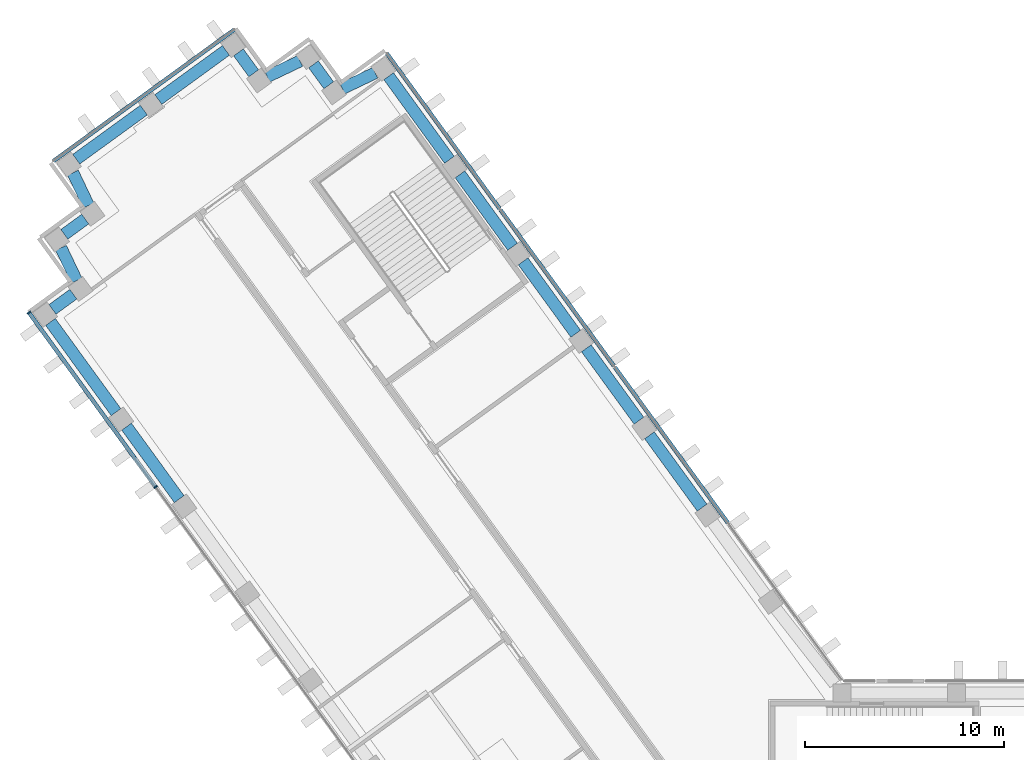
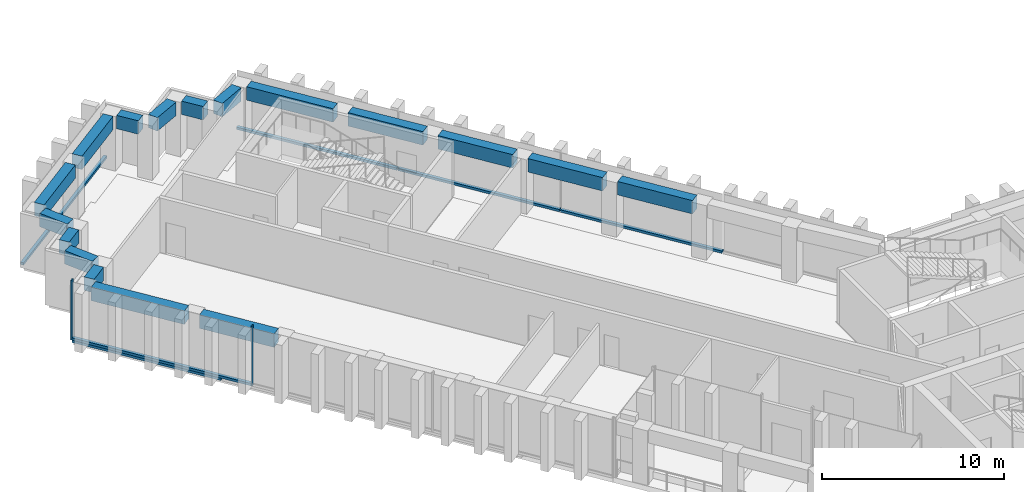
"""IFC4 building model written with IfcOpenShell, lengths in metres."""

from ifc_helpers import new_model, si_unit, direction, frame, origin, origin_2d, place, context, subcontext, project, spatial, rectangle, extrude, material, material_profile, profile_set, type_object, element, aggregate, save


model = new_model("IFC4")

# Units and contexts
model_context = context("Model", 3, precision=1e-05, world=origin(), true_north=direction((0.0, 1.0)))
body_context = subcontext(model_context, "Body", "Model", "MODEL_VIEW")
ifc_project = project(units=[si_unit("LENGTHUNIT", "METRE"), si_unit("AREAUNIT", "SQUARE_METRE"), si_unit("VOLUMEUNIT", "CUBIC_METRE"), si_unit("PLANEANGLEUNIT", "RADIAN"), si_unit("MASSUNIT", "GRAM", prefix="KILO")], contexts=[model_context])

# Site, building, storey
site_placement = place(None, origin())
site = spatial("IfcSite", under=ifc_project, at=site_placement, CompositionType="ELEMENT")
building_placement = place(site_placement, origin())
building = spatial("IfcBuilding", under=site, at=building_placement, Name="Quipu Civic Tower", CompositionType="ELEMENT")
storey_1_placement = place(building_placement, frame((0.0, 0.0, 63.0)))
storey_1 = spatial("IfcBuildingStorey", under=building, at=storey_1_placement, Name="L14", CompositionType="ELEMENT", Elevation=63.0)

# Curtain wall, members
ifc_material_1 = material(Name="Insulated glass unit", Category="glass")
curtain_wall_type = type_object("IfcCurtainWallType", Name="Office curtain wall CW1", PredefinedType="NOTDEFINED", material=ifc_material_1)
curtain_wall_1_placement = place(storey_1_placement, origin())
curtain_wall_1 = element("IfcCurtainWall", 1, at=curtain_wall_1_placement, inside=storey_1, type_object=curtain_wall_type, Name="Office curtain wall CW1 L14 run 1", PredefinedType="NOTDEFINED")
ifc_material_2 = material(Name="Anodised aluminium", Category="aluminium")
ifc_material_profile_1 = material_profile(ifc_material_2, rectangle(XDim=0.199951171875, YDim=0.080078125, at=origin_2d()), Name="RECT 200x80")
ifc_profile_set_1 = profile_set([ifc_material_profile_1], Name="Anodised aluminium")
member_type_1 = type_object("IfcMemberType", Name="Mullion CW1", PredefinedType="MULLION", material=ifc_profile_set_1)
member_1_placement = place(storey_1_placement, frame((-55.23046875, 29.606201171875, 0.080078125), z_axis=(0.0, 0.0, 1.0), x_axis=(0.809016410598, 0.587786055791, 0.0)))
member_1 = element("IfcMember", 2, at=member_1_placement, type_object=member_type_1, Name="CW1 mullion 1", PredefinedType="MULLION", context=body_context, shape_type="SweptSolid", body=[
    extrude(rectangle(XDim=0.199951171875, YDim=0.080078125, at=origin_2d()), origin(), (0.0, 0.0, 1.0), 4.0),
])
member_2_placement = place(storey_1_placement, frame((-48.866943359375, 20.847412109375, 0.080078125), z_axis=(0.0, 0.0, 1.0), x_axis=(0.809016410598, 0.587786055791, 0.0)))
member_2 = element("IfcMember", 3, at=member_2_placement, type_object=member_type_1, Name="CW1 mullion 2", PredefinedType="MULLION", context=body_context, shape_type="SweptSolid", body=[
    extrude(rectangle(XDim=0.199951171875, YDim=0.080078125, at=origin_2d()), origin(), (0.0, 0.0, 1.0), 4.0),
])

# Beams
ifc_material_3 = material(Name="Concrete C50/60", Category="concrete")
ifc_material_profile_2 = material_profile(ifc_material_3, rectangle(XDim=0.60009765625, YDim=0.89990234375, at=origin_2d()), Name="RC600x900")
ifc_profile_set_2 = profile_set([ifc_material_profile_2], Name="Concrete C50/60")
beam_type = type_object("IfcBeamType", Name="Spandrel beam RC 600x900 C50/60", PredefinedType="SPANDREL", material=ifc_profile_set_2)
for number, where, z_axis, x_axis, name in (
    (4, (-21.411865234375, 19.807861328125, 3.199951171875), (-0.587778073121, 0.809022210299, 0.0), (-0.809022210299, -0.587778073121, 0.0), "Spandrel beam L14 W-IN-02 to W-IN-03"),
    (5, (-24.585693359375, 24.1767578125, 3.199951171875), (-0.587778073121, 0.809022210299, 0.0), (-0.809022210299, -0.587778073121, 0.0), "Spandrel beam L14 W-IN-03 to W-IN-04"),
    (6, (-27.759765625, 28.545654296875, 3.199951171875), (-0.587742561851, 0.809048009076, 0.0), (-0.809048009076, -0.587742561851, 0.0), "Spandrel beam L14 W-IN-04 to W-IN-05"),
    (7, (-30.93359375, 32.914306640625, 3.199951171875), (-0.587716763865, 0.809066749701, 0.0), (-0.809066749701, -0.587716763865, 0.0), "Spandrel beam L14 W-IN-05 to W-IN-06"),
):
    element("IfcBeam", number, at=place(storey_1_placement, frame(where, z_axis=z_axis, x_axis=x_axis)), inside=storey_1, type_object=beam_type, Name=name, PredefinedType="SPANDREL", context=body_context, shape_type="SweptSolid", body=[
        extrude(rectangle(XDim=0.60009765625, YDim=0.89990234375, at=origin_2d()), origin(), (0.0, 0.0, 1.0), 4.5),
    ])
beam_1_placement = place(storey_1_placement, frame((-34.107421875, 37.283203125, 3.199951171875), z_axis=(-0.587732861365, 0.80905505602, 0.0), x_axis=(-0.80905505602, -0.587732861365, 0.0)))
element("IfcBeam", 8, at=beam_1_placement, inside=storey_1, type_object=beam_type, Name="Spandrel beam L14 W-IN-06 to T-Wi.0-W50", PredefinedType="SPANDREL", context=body_context, shape_type="SweptSolid", body=[
    extrude(rectangle(XDim=0.60009765625, YDim=0.89990234375, at=origin_2d()), origin(), (0.0, 0.0, 1.0), 5.194580078125),
])
beam_2_placement = place(storey_1_placement, frame((-37.837890625, 41.65283203125, 3.199951171875), z_axis=(-0.90245397739, -0.430786279601, 0.0), x_axis=(0.430786279601, -0.90245397739, 0.0)))
element("IfcBeam", 9, at=beam_2_placement, inside=storey_1, type_object=beam_type, Name="Spandrel beam L14 T-Wi.0-W50 to T-Wi.1-W50", PredefinedType="SPANDREL", context=body_context, shape_type="SweptSolid", body=[
    extrude(rectangle(XDim=0.60009765625, YDim=0.89990234375, at=origin_2d()), origin(), (0.0, 0.0, 1.0), 1.83349609375),
])
beam_3_placement = place(storey_1_placement, frame((-40.170166015625, 41.02978515625, 3.199951171875), z_axis=(-0.588461937499, 0.808524921146, 0.0), x_axis=(-0.808524921146, -0.588461937499, 0.0)))
element("IfcBeam", 10, at=beam_3_placement, inside=storey_1, type_object=beam_type, Name="Spandrel beam L14 T-Wi.1-W50 to T-Wi.2-W50", PredefinedType="SPANDREL", context=body_context, shape_type="SweptSolid", body=[
    extrude(rectangle(XDim=0.60009765625, YDim=0.89990234375, at=origin_2d()), origin(), (0.0, 0.0, 1.0), 1.30029296875),
])
beam_4_placement = place(storey_1_placement, frame((-41.613037109375, 42.248046875, 3.199951171875), z_axis=(-0.902613270121, -0.430452418511, 0.0), x_axis=(0.430452418511, -0.902613270121, 0.0)))
element("IfcBeam", 11, at=beam_4_placement, inside=storey_1, type_object=beam_type, Name="Spandrel beam L14 T-Wi.2-W50 to T-Wi.3-W50", PredefinedType="SPANDREL", context=body_context, shape_type="SweptSolid", body=[
    extrude(rectangle(XDim=0.60009765625, YDim=0.89990234375, at=origin_2d()), origin(), (0.0, 0.0, 1.0), 1.826416015625),
])
beam_5_placement = place(storey_1_placement, frame((-43.939453125, 41.628662109375, 3.199951171875), z_axis=(-0.588383572423, 0.808581951136, 0.0), x_axis=(-0.808581951136, -0.588383572423, 0.0)))
element("IfcBeam", 12, at=beam_5_placement, inside=storey_1, type_object=beam_type, Name="Spandrel beam L14 T-Wi.3-W50 to T-Wi.4-W50", PredefinedType="SPANDREL", context=body_context, shape_type="SweptSolid", body=[
    extrude(rectangle(XDim=0.60009765625, YDim=0.89990234375, at=origin_2d()), origin(), (0.0, 0.0, 1.0), 1.3017578125),
])
beam_6_placement = place(storey_1_placement, frame((-45.333984375, 42.780517578125, 3.199951171875), z_axis=(-0.808969789945, -0.58785021813, 0.0), x_axis=(0.58785021813, -0.808969789945, 0.0)))
element("IfcBeam", 13, at=beam_6_placement, inside=storey_1, type_object=beam_type, Name="Spandrel beam L14 T-Wi.4-W50 to TIP-W-01-W50", PredefinedType="SPANDREL", context=body_context, shape_type="SweptSolid", body=[
    extrude(rectangle(XDim=0.60009765625, YDim=0.89990234375, at=origin_2d()), origin(), (0.0, 0.0, 1.0), 4.199951171875),
])
beam_7_placement = place(storey_1_placement, frame((-49.459716796875, 39.782470703125, 3.199951171875), z_axis=(-0.808959834407, -0.587863918196, 0.0), x_axis=(0.587863918196, -0.808959834407, 0.0)))
element("IfcBeam", 14, at=beam_7_placement, inside=storey_1, type_object=beam_type, Name="Spandrel beam L14 TIP-W-01-W50 to T-Wo.0-W50", PredefinedType="SPANDREL", context=body_context, shape_type="SweptSolid", body=[
    extrude(rectangle(XDim=0.60009765625, YDim=0.89990234375, at=origin_2d()), origin(), (0.0, 0.0, 1.0), 4.1982421875),
])
beam_8_placement = place(storey_1_placement, frame((-53.023193359375, 36.63671875, 3.199951171875), z_axis=(0.430166558323, -0.902749540072, 0.0), x_axis=(0.902749540072, 0.430166558323, 0.0)))
element("IfcBeam", 15, at=beam_8_placement, inside=storey_1, type_object=beam_type, Name="Spandrel beam L14 T-Wo.0-W50 to T-Wo.1-W50", PredefinedType="SPANDREL", context=body_context, shape_type="SweptSolid", body=[
    extrude(rectangle(XDim=0.60009765625, YDim=0.89990234375, at=origin_2d()), origin(), (0.0, 0.0, 1.0), 1.830322265625),
])
beam_9_placement = place(storey_1_placement, frame((-52.40283203125, 34.306396484375, 3.199951171875), z_axis=(-0.808509099783, -0.588483674853, 0.0), x_axis=(0.588483674853, -0.808509099783, 0.0)))
element("IfcBeam", 16, at=beam_9_placement, inside=storey_1, type_object=beam_type, Name="Spandrel beam L14 T-Wo.1-W50 to T-Wo.2-W50", PredefinedType="SPANDREL", context=body_context, shape_type="SweptSolid", body=[
    extrude(rectangle(XDim=0.60009765625, YDim=0.89990234375, at=origin_2d()), origin(), (0.0, 0.0, 1.0), 1.302734375),
])
beam_10_placement = place(storey_1_placement, frame((-53.62255859375, 32.8623046875, 3.199951171875), z_axis=(0.431446050156, -0.902138739776, 0.0), x_axis=(0.902138739776, 0.431446050156, 0.0)))
element("IfcBeam", 17, at=beam_10_placement, inside=storey_1, type_object=beam_type, Name="Spandrel beam L14 T-Wo.2-W50 to T-Wo.3-W50", PredefinedType="SPANDREL", context=body_context, shape_type="SweptSolid", body=[
    extrude(rectangle(XDim=0.60009765625, YDim=0.89990234375, at=origin_2d()), origin(), (0.0, 0.0, 1.0), 1.828857421875),
])
beam_11_placement = place(storey_1_placement, frame((-53.0, 30.53466796875, 3.199951171875), z_axis=(-0.808549242423, -0.588428519514, 0.0), x_axis=(0.588428519514, -0.808549242423, 0.0)))
element("IfcBeam", 18, at=beam_11_placement, inside=storey_1, type_object=beam_type, Name="Spandrel beam L14 T-Wo.3-W50 to T-Wo.4-W50", PredefinedType="SPANDREL", context=body_context, shape_type="SweptSolid", body=[
    extrude(rectangle(XDim=0.60009765625, YDim=0.89990234375, at=origin_2d()), origin(), (0.0, 0.0, 1.0), 1.2998046875),
])
beam_12_placement = place(storey_1_placement, frame((-54.150390625, 29.140869140625, 3.199951171875), z_axis=(0.587772657145, -0.809026145135, 0.0), x_axis=(0.809026145135, 0.587772657145, 0.0)))
element("IfcBeam", 19, at=beam_12_placement, inside=storey_1, type_object=beam_type, Name="Spandrel beam L14 T-Wo.4-W50 to W-OUT-07", PredefinedType="SPANDREL", context=body_context, shape_type="SweptSolid", body=[
    extrude(rectangle(XDim=0.60009765625, YDim=0.89990234375, at=origin_2d()), origin(), (0.0, 0.0, 1.0), 5.603271484375),
])
beam_13_placement = place(storey_1_placement, frame((-50.327880859375, 23.87939453125, 3.199951171875), z_axis=(0.587778073121, -0.809022210299, 0.0), x_axis=(0.809022210299, 0.587778073121, 0.0)))
element("IfcBeam", 20, at=beam_13_placement, inside=storey_1, type_object=beam_type, Name="Spandrel beam L14 W-OUT-07 to W-OUT-06", PredefinedType="SPANDREL", context=body_context, shape_type="SweptSolid", body=[
    extrude(rectangle(XDim=0.60009765625, YDim=0.89990234375, at=origin_2d()), origin(), (0.0, 0.0, 1.0), 4.5),
])

# Storey
storey_2_placement = place(building_placement, frame((0.0, 0.0, 59.0)))
storey_2 = spatial("IfcBuildingStorey", under=building, at=storey_2_placement, Name="L13", CompositionType="ELEMENT", Elevation=59.0)

# Curtain wall, member
curtain_wall_2_placement = place(storey_2_placement, origin())
curtain_wall_2 = element("IfcCurtainWall", 21, at=curtain_wall_2_placement, inside=storey_2, type_object=curtain_wall_type, Name="Office curtain wall CW1 L13 run 1", PredefinedType="NOTDEFINED")
ifc_material_4 = material(Name="Anodised aluminium", Category="aluminium")
ifc_material_profile_3 = material_profile(ifc_material_4, rectangle(XDim=0.199951171875, YDim=0.159912109375, at=origin_2d()), Name="RECT 200x160")
ifc_profile_set_3 = profile_set([ifc_material_profile_3], Name="Anodised aluminium")
member_type_2 = type_object("IfcMemberType", Name="Transom CW1", PredefinedType="USERDEFINED", material=ifc_profile_set_3)
member_3_placement = place(storey_1_placement, frame((-55.20703125, 29.573974609375, 0.0), z_axis=(0.587788711348, -0.809014481213, 0.0), x_axis=(0.809014481213, 0.587788711348, 0.0)))
member_3 = element("IfcMember", 22, at=member_3_placement, inside=storey_1, type_object=member_type_2, Name="CW1 transom 1.2", ObjectType="TRANSOM", PredefinedType="USERDEFINED", context=body_context, shape_type="SweptSolid", body=[
    extrude(rectangle(XDim=0.199951171875, YDim=0.159912109375, at=origin_2d()), origin(), (0.0, 0.0, 1.0), 8.94677734375),
])
aggregate(curtain_wall_2, [member_3])

# Curtain wall, members
curtain_wall_3_placement = place(storey_2_placement, origin())
curtain_wall_3 = element("IfcCurtainWall", 23, at=curtain_wall_3_placement, inside=storey_2, type_object=curtain_wall_type, Name="Office curtain wall CW1 L12 run 10", PredefinedType="NOTDEFINED")
member_4_placement = place(storey_1_placement, frame((-20.105224609375, 19.029296875, 0.080078125), z_axis=(-0.587793764301, 0.80901080997, 0.0), x_axis=(-0.80901080997, -0.587793764301, 0.0)))
member_4 = element("IfcMember", 24, at=member_4_placement, inside=storey_1, type_object=member_type_2, Name="CW1 transom 2.3", ObjectType="TRANSOM", PredefinedType="USERDEFINED", context=body_context, shape_type="SweptSolid", body=[
    extrude(rectangle(XDim=0.199951171875, YDim=0.159912109375, at=origin_2d()), origin(), (0.0, 0.0, 1.0), 9.680908203125),
])
member_5_placement = place(storey_1_placement, frame((-25.842529296875, 26.926025390625, 0.080078125), z_axis=(-0.58778177227, 0.809019522748, 0.0), x_axis=(-0.809019522748, -0.58778177227, 0.0)))
member_5 = element("IfcMember", 25, at=member_5_placement, inside=storey_1, type_object=member_type_2, Name="CW1 transom 3.3", ObjectType="TRANSOM", PredefinedType="USERDEFINED", context=body_context, shape_type="SweptSolid", body=[
    extrude(rectangle(XDim=0.199951171875, YDim=0.159912109375, at=origin_2d()), origin(), (0.0, 0.0, 1.0), 9.68115234375),
])
member_6_placement = place(storey_1_placement, frame((-31.580078125, 34.822998046875, 0.080078125), z_axis=(-0.587775627857, 0.809023986849, 0.0), x_axis=(-0.809023986849, -0.587775627857, 0.0)))
member_6 = element("IfcMember", 26, at=member_6_placement, inside=storey_1, type_object=member_type_2, Name="CW1 transom 4.3", ObjectType="TRANSOM", PredefinedType="USERDEFINED", context=body_context, shape_type="SweptSolid", body=[
    extrude(rectangle(XDim=0.199951171875, YDim=0.159912109375, at=origin_2d()), origin(), (0.0, 0.0, 1.0), 9.64111328125),
])
aggregate(curtain_wall_3, [member_4, member_5, member_6])

# Curtain wall, member
curtain_wall_4_placement = place(storey_2_placement, origin())
curtain_wall_4 = element("IfcCurtainWall", 27, at=curtain_wall_4_placement, inside=storey_2, type_object=curtain_wall_type, Name="Office curtain wall CW1 L12 run 15", PredefinedType="NOTDEFINED")
member_7_placement = place(storey_1_placement, frame((-44.9013671875, 43.8349609375, 0.080078125), z_axis=(-0.809032792449, -0.587763507495, 0.0), x_axis=(0.587763507495, -0.809032792449, 0.0)))
member_7 = element("IfcMember", 28, at=member_7_placement, inside=storey_1, type_object=member_type_2, Name="CW1 transom 1.3", ObjectType="TRANSOM", PredefinedType="USERDEFINED", context=body_context, shape_type="SweptSolid", body=[
    extrude(rectangle(XDim=0.199951171875, YDim=0.159912109375, at=origin_2d()), origin(), (0.0, 0.0, 1.0), 11.239990234375),
])
aggregate(curtain_wall_4, [member_7])

# Member
member_8_placement = place(storey_1_placement, frame((-55.20703125, 29.573974609375, 0.159912109375), z_axis=(0.587775847534, -0.809023827248, 0.0), x_axis=(0.809023827248, 0.587775847534, 0.0)))
member_8 = element("IfcMember", 29, at=member_8_placement, type_object=member_type_2, Name="CW1 transom 1.1", ObjectType="TRANSOM", PredefinedType="USERDEFINED", context=body_context, shape_type="SweptSolid", body=[
    extrude(rectangle(XDim=0.199951171875, YDim=0.159912109375, at=origin_2d()), origin(), (0.0, 0.0, 1.0), 10.74658203125),
])

aggregate(curtain_wall_1, [member_1, member_2, member_8])

save(model, "model.ifc")
